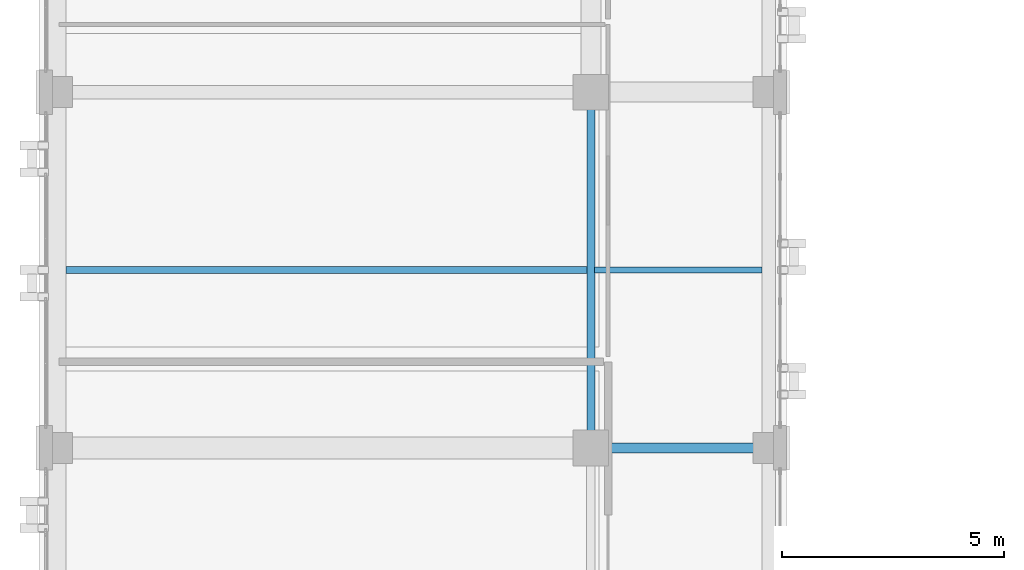
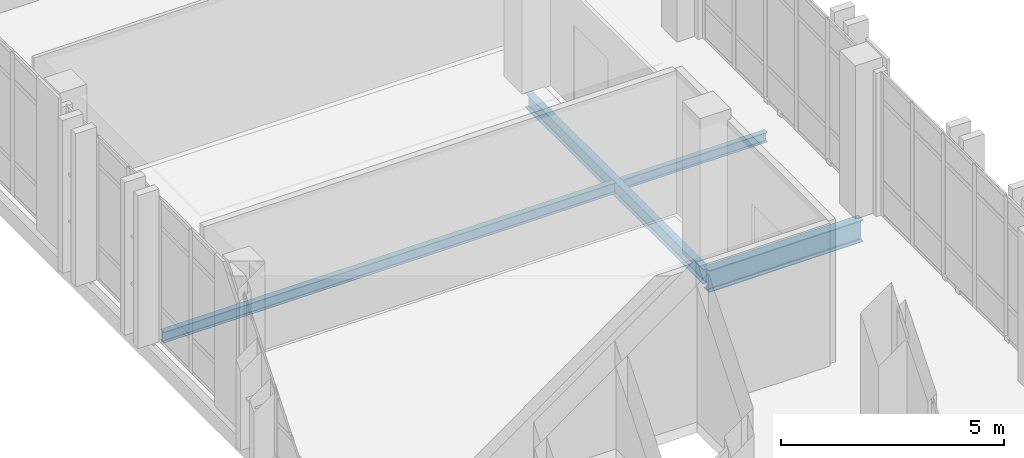
# One storey, part 32 of 165: 4 beams.
"""IFC4 building model written with IfcOpenShell, lengths in metres."""

from ifc_helpers import new_model, si_unit, direction, frame, origin, origin_2d, place, context, subcontext, project, spatial, i_section, extrude, material, material_profile, profile_set, type_object, element, save


model = new_model("IFC4")

# Units and contexts
model_context = context("Model", 3, precision=1e-05, world=origin(), true_north=direction((0.0, 1.0)))
body_context = subcontext(model_context, "Body", "Model", "MODEL_VIEW")
ifc_project = project(units=[si_unit("LENGTHUNIT", "METRE"), si_unit("AREAUNIT", "SQUARE_METRE"), si_unit("VOLUMEUNIT", "CUBIC_METRE"), si_unit("PLANEANGLEUNIT", "RADIAN"), si_unit("MASSUNIT", "GRAM", prefix="KILO")], contexts=[model_context])

# Site, building, storey
site_placement = place(None, origin())
site = spatial("IfcSite", under=ifc_project, at=site_placement, CompositionType="ELEMENT")
building_placement = place(site_placement, origin())
building = spatial("IfcBuilding", under=site, at=building_placement, Name="Qalavern Law Courts", CompositionType="ELEMENT")
storey_placement = place(building_placement, frame((0.0, 0.0, 14.39990234375)))
storey = spatial("IfcBuildingStorey", under=building, at=storey_placement, Name="L03", CompositionType="ELEMENT", Elevation=14.39990234375)

# Beams
ifc_material = material(Name="Steel S355", Category="steel")
ifc_material_profile_1 = material_profile(ifc_material, i_section(OverallWidth=0.179931640625, OverallDepth=0.39990234375, WebThickness=0.008544921875, FlangeThickness=0.013427734375, FilletRadius=0.02099609375, at=origin_2d()), Name="IPE 400")
ifc_profile_set_1 = profile_set([ifc_material_profile_1], Name="Steel S355")
beam_type_1 = type_object("IfcBeamType", Name="STR-BM-IPE400", PredefinedType="BEAM", material=ifc_profile_set_1)
beam_1_placement = place(storey_placement, frame((14.39990234375, 57.39990234375, -0.48486328125), z_axis=(0.0, 1.0, 0.0), x_axis=(-1.0, 0.0, 0.0)))
element("IfcBeam", 1, at=beam_1_placement, inside=storey, type_object=beam_type_1, Name="V3 Y-beam 2-3 L03", PredefinedType="BEAM", context=body_context, shape_type="SweptSolid", body=[
    extrude(i_section(OverallWidth=0.179931640625, OverallDepth=0.39990234375, WebThickness=0.008544921875, FlangeThickness=0.013427734375, FilletRadius=0.02099609375, at=origin_2d()), origin(), (0.0, 0.0, 1.0), 8.0),
])
ifc_material_profile_2 = material_profile(ifc_material, i_section(OverallWidth=0.219970703125, OverallDepth=0.60009765625, WebThickness=0.011962890625, FlangeThickness=0.01904296875, FilletRadius=0.02392578125, at=origin_2d()), Name="IPE 600")
ifc_profile_set_2 = profile_set([ifc_material_profile_2], Name="Steel S355")
beam_type_2 = type_object("IfcBeamType", Name="STR-BM-IPE600", PredefinedType="BEAM", material=ifc_profile_set_2)
beam_2_placement = place(storey_placement, frame((14.39990234375, 57.39990234375, -0.5849609375), z_axis=(1.0, 0.0, 0.0), x_axis=(0.0, 1.0, 0.0)))
element("IfcBeam", 2, at=beam_2_placement, inside=storey, type_object=beam_type_2, Name="V3 X-beam 3-2 L03", PredefinedType="BEAM", context=body_context, shape_type="SweptSolid", body=[
    extrude(i_section(OverallWidth=0.219970703125, OverallDepth=0.60009765625, WebThickness=0.011962890625, FlangeThickness=0.01904296875, FilletRadius=0.02392578125, at=origin_2d()), origin(), (0.0, 0.0, 1.0), 4.0),
])
ifc_material_profile_3 = material_profile(ifc_material, i_section(OverallWidth=0.135009765625, OverallDepth=0.27001953125, WebThickness=0.006591796875, FlangeThickness=0.01025390625, FilletRadius=0.014892578125, at=origin_2d()), Name="IPE 270")
ifc_profile_set_3 = profile_set([ifc_material_profile_3], Name="Steel S355")
beam_type_3 = type_object("IfcBeamType", Name="STR-JST-IPE270", PredefinedType="JOIST", material=ifc_profile_set_3)
beam_3_placement = place(storey_placement, frame((14.488037109375, 61.39990234375, -0.419921875), z_axis=(1.0, 0.0, 0.0), x_axis=(0.0, 1.0, 0.0)))
element("IfcBeam", 3, at=beam_3_placement, inside=storey, type_object=beam_type_3, Name="V3 secondary joist 2.3.1 L03", PredefinedType="JOIST", context=body_context, shape_type="SweptSolid", body=[
    extrude(i_section(OverallWidth=0.135009765625, OverallDepth=0.27001953125, WebThickness=0.006591796875, FlangeThickness=0.01025390625, FilletRadius=0.014892578125, at=origin_2d()), origin(), (0.0, 0.0, 1.0), 3.763916015625),
])
ifc_material_profile_4 = material_profile(ifc_material, i_section(OverallWidth=0.14990234375, OverallDepth=0.300048828125, WebThickness=0.007080078125, FlangeThickness=0.0107421875, FilletRadius=0.014892578125, at=origin_2d()), Name="IPE 300")
ifc_profile_set_4 = profile_set([ifc_material_profile_4], Name="Steel S355")
beam_type_4 = type_object("IfcBeamType", Name="STR-JST-IPE300", PredefinedType="JOIST", material=ifc_profile_set_4)
beam_4_placement = place(storey_placement, frame((2.597900390625, 61.39990234375, -0.434814453125), z_axis=(1.0, 0.0, 0.0), x_axis=(0.0, 1.0, 0.0)))
element("IfcBeam", 4, at=beam_4_placement, inside=storey, type_object=beam_type_4, Name="V3 secondary joist 1.3.1 L03", PredefinedType="JOIST", context=body_context, shape_type="SweptSolid", body=[
    extrude(i_section(OverallWidth=0.14990234375, OverallDepth=0.300048828125, WebThickness=0.007080078125, FlangeThickness=0.0107421875, FilletRadius=0.014892578125, at=origin_2d()), origin(), (0.0, 0.0, 1.0), 11.714111328125),
])

save(model, "model.ifc")
